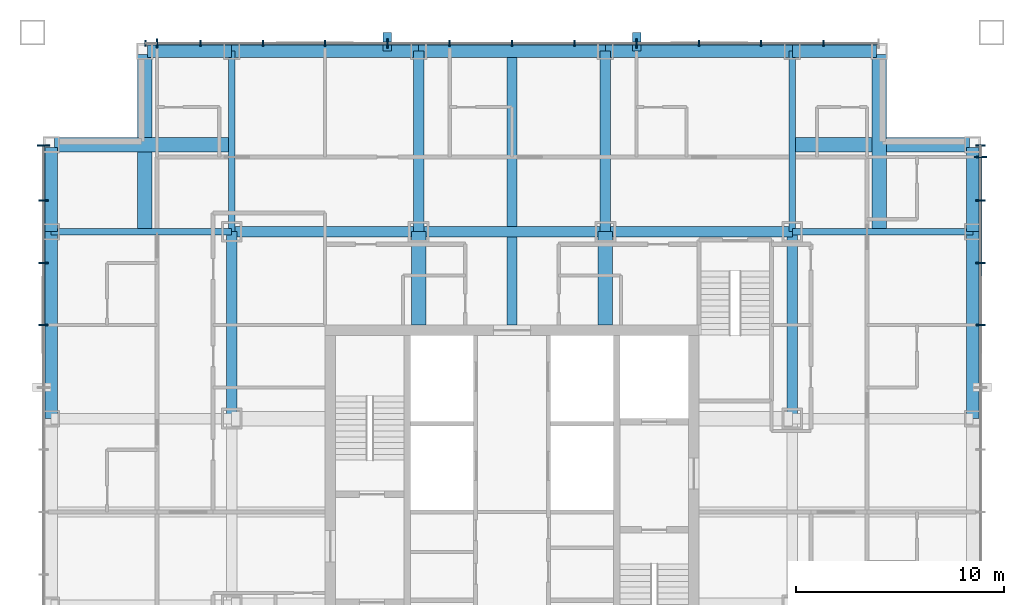
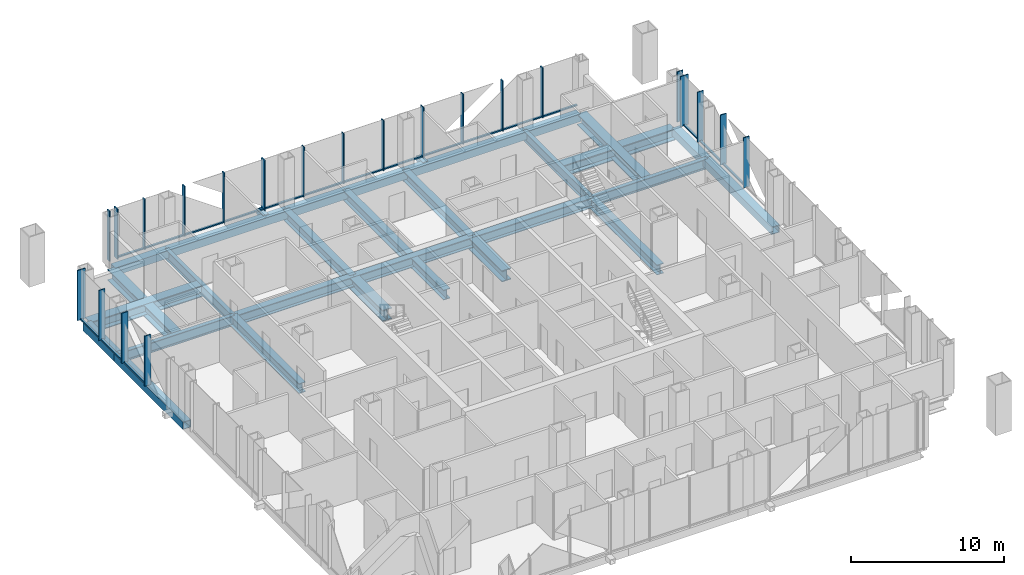
# One storey, part 4 of 16: 42 members, 27 beams, 3 elements without a shape of their own.
"""IFC4 building model written with IfcOpenShell, lengths in metres."""

from ifc_helpers import new_model, si_unit, direction, frame, origin, origin_2d, place, context, subcontext, project, spatial, rectangle, hollow_rectangle, i_section, extrude, material, layer, layer_set, material_profile, profile_set, type_object, element, aggregate, save


model = new_model("IFC4")

# Units and contexts
model_context = context("Model", 3, precision=1e-05, world=origin(), true_north=direction((0.0, 1.0)))
body_context = subcontext(model_context, "Body", "Model", "MODEL_VIEW")
ifc_project = project(units=[si_unit("LENGTHUNIT", "METRE"), si_unit("AREAUNIT", "SQUARE_METRE"), si_unit("VOLUMEUNIT", "CUBIC_METRE"), si_unit("PLANEANGLEUNIT", "RADIAN"), si_unit("MASSUNIT", "GRAM", prefix="KILO")], contexts=[model_context])

# Site, building, storey
site_placement = place(None, origin())
site = spatial("IfcSite", under=ifc_project, at=site_placement, CompositionType="ELEMENT")
building_placement = place(site_placement, origin())
building = spatial("IfcBuilding", under=site, at=building_placement, Name="Malebo Sky Hospital", CompositionType="ELEMENT")
storey_placement = place(building_placement, frame((0.0, 0.0, 197.0)))
storey = spatial("IfcBuildingStorey", under=building, at=storey_placement, Name="L47", CompositionType="ELEMENT", Elevation=197.0)

# Curtain wall, members
ifc_material_1 = material(Name="Anodised aluminium, natural silver", Category="aluminium")
ifc_layer_1 = layer(ifc_material_1, 0.25)
ifc_layer_set_1 = layer_set([ifc_layer_1], Name="WARD CURTAIN WALL NORTH AND SOUTH")
curtain_wall_type_1 = type_object("IfcCurtainWallType", Name="WARD CURTAIN WALL NORTH AND SOUTH", PredefinedType="NOTDEFINED", material=ifc_layer_set_1)
curtain_wall_1_placement = place(storey_placement, origin())
curtain_wall_1 = element("IfcCurtainWall", 1, at=curtain_wall_1_placement, inside=storey, type_object=curtain_wall_type_1, Name="NS curtain wall N", PredefinedType="NOTDEFINED")
ifc_material_profile_1 = material_profile(ifc_material_1, rectangle(XDim=0.14990234375, YDim=0.10009765625, at=origin_2d()), Name="ALUMINIUM TRANSOM 150x100")
ifc_profile_set_1 = profile_set([ifc_material_profile_1], Name="Anodised aluminium, natural silver")
member_type_1 = type_object("IfcMemberType", Name="ALUMINIUM TRANSOM 150x100", PredefinedType="USERDEFINED", material=ifc_profile_set_1)
member_1_placement = place(storey_placement, frame((42.9375, 84.574951171875, 0.050048828125), z_axis=(1.0, 0.0, 0.0), x_axis=(0.0, 1.0, 0.0)))
member_1 = element("IfcMember", 2, at=member_1_placement, type_object=member_type_1, Name="Transom 2", ObjectType="TRANSOM", PredefinedType="USERDEFINED", context=body_context, shape_type="SweptSolid", body=[
    extrude(rectangle(XDim=0.14990234375, YDim=0.10009765625, at=origin_2d()), origin(), (0.0, 0.0, 1.0), 2.02490234375),
])
member_2_placement = place(storey_placement, frame((45.03759765625, 84.574951171875, 0.050048828125), z_axis=(1.0, 0.0, 0.0), x_axis=(0.0, 1.0, 0.0)))
member_2 = element("IfcMember", 3, at=member_2_placement, type_object=member_type_1, Name="Transom 3", ObjectType="TRANSOM", PredefinedType="USERDEFINED", context=body_context, shape_type="SweptSolid", body=[
    extrude(rectangle(XDim=0.14990234375, YDim=0.10009765625, at=origin_2d()), origin(), (0.0, 0.0, 1.0), 2.9248046875),
])
member_3_placement = place(storey_placement, frame((48.03759765625, 84.574951171875, 0.050048828125), z_axis=(1.0, 0.0, 0.0), x_axis=(0.0, 1.0, 0.0)))
member_3 = element("IfcMember", 4, at=member_3_placement, type_object=member_type_1, Name="Transom 4", ObjectType="TRANSOM", PredefinedType="USERDEFINED", context=body_context, shape_type="SweptSolid", body=[
    extrude(rectangle(XDim=0.14990234375, YDim=0.10009765625, at=origin_2d()), origin(), (0.0, 0.0, 1.0), 2.9248046875),
])
member_4_placement = place(storey_placement, frame((51.03759765625, 84.574951171875, 0.050048828125), z_axis=(1.0, 0.0, 0.0), x_axis=(0.0, 1.0, 0.0)))
member_4 = element("IfcMember", 5, at=member_4_placement, type_object=member_type_1, Name="Transom 5", ObjectType="TRANSOM", PredefinedType="USERDEFINED", context=body_context, shape_type="SweptSolid", body=[
    extrude(rectangle(XDim=0.14990234375, YDim=0.10009765625, at=origin_2d()), origin(), (0.0, 0.0, 1.0), 2.9248046875),
])
member_5_placement = place(storey_placement, frame((54.03759765625, 84.574951171875, 0.050048828125), z_axis=(1.0, 0.0, 0.0), x_axis=(0.0, 1.0, 0.0)))
member_5 = element("IfcMember", 6, at=member_5_placement, type_object=member_type_1, Name="Transom 6", ObjectType="TRANSOM", PredefinedType="USERDEFINED", context=body_context, shape_type="SweptSolid", body=[
    extrude(rectangle(XDim=0.14990234375, YDim=0.10009765625, at=origin_2d()), origin(), (0.0, 0.0, 1.0), 2.9248046875),
])
member_6_placement = place(storey_placement, frame((57.03759765625, 84.574951171875, 0.050048828125), z_axis=(1.0, 0.0, 0.0), x_axis=(0.0, 1.0, 0.0)))
member_6 = element("IfcMember", 7, at=member_6_placement, type_object=member_type_1, Name="Transom 7", ObjectType="TRANSOM", PredefinedType="USERDEFINED", context=body_context, shape_type="SweptSolid", body=[
    extrude(rectangle(XDim=0.14990234375, YDim=0.10009765625, at=origin_2d()), origin(), (0.0, 0.0, 1.0), 2.9248046875),
])
member_7_placement = place(storey_placement, frame((60.03759765625, 84.574951171875, 0.050048828125), z_axis=(1.0, 0.0, 0.0), x_axis=(0.0, 1.0, 0.0)))
member_7 = element("IfcMember", 8, at=member_7_placement, type_object=member_type_1, Name="Transom 8", ObjectType="TRANSOM", PredefinedType="USERDEFINED", context=body_context, shape_type="SweptSolid", body=[
    extrude(rectangle(XDim=0.14990234375, YDim=0.10009765625, at=origin_2d()), origin(), (0.0, 0.0, 1.0), 2.9248046875),
])
member_8_placement = place(storey_placement, frame((63.03759765625, 84.574951171875, 0.050048828125), z_axis=(1.0, 0.0, 0.0), x_axis=(0.0, 1.0, 0.0)))
member_8 = element("IfcMember", 9, at=member_8_placement, type_object=member_type_1, Name="Transom 9", ObjectType="TRANSOM", PredefinedType="USERDEFINED", context=body_context, shape_type="SweptSolid", body=[
    extrude(rectangle(XDim=0.14990234375, YDim=0.10009765625, at=origin_2d()), origin(), (0.0, 0.0, 1.0), 2.9248046875),
])
member_9_placement = place(storey_placement, frame((66.03759765625, 84.574951171875, 0.050048828125), z_axis=(1.0, 0.0, 0.0), x_axis=(0.0, 1.0, 0.0)))
member_9 = element("IfcMember", 10, at=member_9_placement, type_object=member_type_1, Name="Transom 10", ObjectType="TRANSOM", PredefinedType="USERDEFINED", context=body_context, shape_type="SweptSolid", body=[
    extrude(rectangle(XDim=0.14990234375, YDim=0.10009765625, at=origin_2d()), origin(), (0.0, 0.0, 1.0), 2.9248046875),
])
member_10_placement = place(storey_placement, frame((69.03759765625, 84.574951171875, 0.050048828125), z_axis=(1.0, 0.0, 0.0), x_axis=(0.0, 1.0, 0.0)))
member_10 = element("IfcMember", 11, at=member_10_placement, type_object=member_type_1, Name="Transom 11", ObjectType="TRANSOM", PredefinedType="USERDEFINED", context=body_context, shape_type="SweptSolid", body=[
    extrude(rectangle(XDim=0.14990234375, YDim=0.10009765625, at=origin_2d()), origin(), (0.0, 0.0, 1.0), 2.9248046875),
])
member_11_placement = place(storey_placement, frame((72.03759765625, 84.574951171875, 0.050048828125), z_axis=(1.0, 0.0, 0.0), x_axis=(0.0, 1.0, 0.0)))
member_11 = element("IfcMember", 12, at=member_11_placement, type_object=member_type_1, Name="Transom 12", ObjectType="TRANSOM", PredefinedType="USERDEFINED", context=body_context, shape_type="SweptSolid", body=[
    extrude(rectangle(XDim=0.14990234375, YDim=0.10009765625, at=origin_2d()), origin(), (0.0, 0.0, 1.0), 2.9248046875),
])
member_12_placement = place(storey_placement, frame((75.03759765625, 84.574951171875, 0.050048828125), z_axis=(1.0, 0.0, 0.0), x_axis=(0.0, 1.0, 0.0)))
member_12 = element("IfcMember", 13, at=member_12_placement, type_object=member_type_1, Name="Transom 13", ObjectType="TRANSOM", PredefinedType="USERDEFINED", context=body_context, shape_type="SweptSolid", body=[
    extrude(rectangle(XDim=0.14990234375, YDim=0.10009765625, at=origin_2d()), origin(), (0.0, 0.0, 1.0), 2.58740234375),
])

ifc_layer_2 = layer(ifc_material_1, 0.25)
ifc_layer_set_2 = layer_set([ifc_layer_2], Name="WARD CURTAIN WALL EAST AND WEST")
curtain_wall_type_2 = type_object("IfcCurtainWallType", Name="WARD CURTAIN WALL EAST AND WEST", PredefinedType="NOTDEFINED", material=ifc_layer_set_2)
curtain_wall_2_placement = place(storey_placement, origin())
curtain_wall_2 = element("IfcCurtainWall", 14, at=curtain_wall_2_placement, inside=storey, type_object=curtain_wall_type_2, Name="EW curtain wall W", PredefinedType="NOTDEFINED")
member_13_placement = place(storey_placement, frame((37.425048828125, 71.03759765625, 0.050048828125), z_axis=(0.0, 1.0, 0.0), x_axis=(-1.0, 0.0, 0.0)))
member_13 = element("IfcMember", 15, at=member_13_placement, type_object=member_type_1, Name="Transom 11", ObjectType="TRANSOM", PredefinedType="USERDEFINED", context=body_context, shape_type="SweptSolid", body=[
    extrude(rectangle(XDim=0.14990234375, YDim=0.10009765625, at=origin_2d()), origin(), (0.0, 0.0, 1.0), 2.9248046875),
])
member_14_placement = place(storey_placement, frame((37.425048828125, 74.03759765625, 0.050048828125), z_axis=(0.0, 1.0, 0.0), x_axis=(-1.0, 0.0, 0.0)))
member_14 = element("IfcMember", 16, at=member_14_placement, type_object=member_type_1, Name="Transom 12", ObjectType="TRANSOM", PredefinedType="USERDEFINED", context=body_context, shape_type="SweptSolid", body=[
    extrude(rectangle(XDim=0.14990234375, YDim=0.10009765625, at=origin_2d()), origin(), (0.0, 0.0, 1.0), 2.9248046875),
])
member_15_placement = place(storey_placement, frame((37.425048828125, 77.03759765625, 0.050048828125), z_axis=(0.0, 1.0, 0.0), x_axis=(-1.0, 0.0, 0.0)))
member_15 = element("IfcMember", 17, at=member_15_placement, type_object=member_type_1, Name="Transom 13", ObjectType="TRANSOM", PredefinedType="USERDEFINED", context=body_context, shape_type="SweptSolid", body=[
    extrude(rectangle(XDim=0.14990234375, YDim=0.10009765625, at=origin_2d()), origin(), (0.0, 0.0, 1.0), 2.58740234375),
])

curtain_wall_3_placement = place(storey_placement, origin())
curtain_wall_3 = element("IfcCurtainWall", 18, at=curtain_wall_3_placement, inside=storey, type_object=curtain_wall_type_2, Name="EW curtain wall E", PredefinedType="NOTDEFINED")
member_16_placement = place(storey_placement, frame((82.574951171875, 79.0625, 0.050048828125), z_axis=(0.0, -1.0, 0.0), x_axis=(1.0, 0.0, 0.0)))
member_16 = element("IfcMember", 19, at=member_16_placement, type_object=member_type_1, Name="Transom 2", ObjectType="TRANSOM", PredefinedType="USERDEFINED", context=body_context, shape_type="SweptSolid", body=[
    extrude(rectangle(XDim=0.14990234375, YDim=0.10009765625, at=origin_2d()), origin(), (0.0, 0.0, 1.0), 2.02490234375),
])
member_17_placement = place(storey_placement, frame((82.574951171875, 76.96240234375, 0.050048828125), z_axis=(0.0, -1.0, 0.0), x_axis=(1.0, 0.0, 0.0)))
member_17 = element("IfcMember", 20, at=member_17_placement, type_object=member_type_1, Name="Transom 3", ObjectType="TRANSOM", PredefinedType="USERDEFINED", context=body_context, shape_type="SweptSolid", body=[
    extrude(rectangle(XDim=0.14990234375, YDim=0.10009765625, at=origin_2d()), origin(), (0.0, 0.0, 1.0), 2.9248046875),
])
member_18_placement = place(storey_placement, frame((82.574951171875, 73.96240234375, 0.050048828125), z_axis=(0.0, -1.0, 0.0), x_axis=(1.0, 0.0, 0.0)))
member_18 = element("IfcMember", 21, at=member_18_placement, type_object=member_type_1, Name="Transom 4", ObjectType="TRANSOM", PredefinedType="USERDEFINED", context=body_context, shape_type="SweptSolid", body=[
    extrude(rectangle(XDim=0.14990234375, YDim=0.10009765625, at=origin_2d()), origin(), (0.0, 0.0, 1.0), 2.9248046875),
])

# Members
ifc_material_2 = material(Name="Steel S355", Category="steel")
ifc_material_profile_2 = material_profile(ifc_material_2, hollow_rectangle(XDim=0.39990234375, YDim=0.39990234375, WallThickness=0.02001953125, at=origin_2d()), Name="SHS 400x20")
ifc_profile_set_2 = profile_set([ifc_material_profile_2], Name="Steel S355")
member_type_2 = type_object("IfcMemberType", Name="BRACE STRUT SHS 400x20", PredefinedType="STRUT", material=ifc_profile_set_2)
for number, where, z_axis, x_axis, name in (
    (22, (53.98486328125, 85.10009765625, -0.39990234375), (0.0, -1.0, 0.0), (1.0, 0.0, 0.0), "Brace strut CN1 L47"),
    (23, (66.01513671875, 85.10009765625, -0.39990234375), (0.0, -1.0, 0.0), (1.0, 0.0, 0.0), "Brace strut CN2 L47"),
):
    element("IfcMember", number, at=place(storey_placement, frame(where, z_axis=z_axis, x_axis=x_axis)), inside=storey, type_object=member_type_2, Name=name, PredefinedType="STRUT", context=body_context, shape_type="SweptSolid", body=[
        extrude(hollow_rectangle(XDim=0.39990234375, YDim=0.39990234375, WallThickness=0.02001953125, at=origin_2d()), origin(), (0.0, 0.0, 1.0), 0.900146484375),
    ])

# Member
ifc_material_profile_3 = material_profile(ifc_material_1, rectangle(XDim=0.074951171875, YDim=0.300048828125, at=origin_2d()), Name="CW1 ALUMINIUM FIN MULLION 75x300")
ifc_profile_set_3 = profile_set([ifc_material_profile_3], Name="Anodised aluminium, natural silver")
member_type_3 = type_object("IfcMemberType", Name="CW1 ALUMINIUM FIN MULLION 75x300", PredefinedType="MULLION", material=ifc_profile_set_3)
member_19_placement = place(storey_placement, frame((42.33740234375, 84.574951171875, 0.0), z_axis=(0.0, 0.0, 1.0), x_axis=(1.0, 0.0, 0.0)))
member_19 = element("IfcMember", 24, at=member_19_placement, type_object=member_type_3, Name="Fin mullion 1", PredefinedType="MULLION", context=body_context, shape_type="SweptSolid", body=[
    extrude(rectangle(XDim=0.074951171875, YDim=0.300048828125, at=origin_2d()), origin(), (0.0, 0.0, 1.0), 4.0),
])

member_20_placement = place(storey_placement, frame((45.0, 84.574951171875, 0.0), z_axis=(0.0, 0.0, 1.0), x_axis=(1.0, 0.0, 0.0)))
member_20 = element("IfcMember", 25, at=member_20_placement, type_object=member_type_3, Name="Fin mullion 3", PredefinedType="MULLION", context=body_context, shape_type="SweptSolid", body=[
    extrude(rectangle(XDim=0.074951171875, YDim=0.300048828125, at=origin_2d()), origin(), (0.0, 0.0, 1.0), 4.0),
])

member_21_placement = place(storey_placement, frame((48.0, 84.574951171875, 0.0), z_axis=(0.0, 0.0, 1.0), x_axis=(1.0, 0.0, 0.0)))
member_21 = element("IfcMember", 26, at=member_21_placement, type_object=member_type_3, Name="Fin mullion 4", PredefinedType="MULLION", context=body_context, shape_type="SweptSolid", body=[
    extrude(rectangle(XDim=0.074951171875, YDim=0.300048828125, at=origin_2d()), origin(), (0.0, 0.0, 1.0), 4.0),
])

member_22_placement = place(storey_placement, frame((51.0, 84.574951171875, 0.0), z_axis=(0.0, 0.0, 1.0), x_axis=(1.0, 0.0, 0.0)))
member_22 = element("IfcMember", 27, at=member_22_placement, type_object=member_type_3, Name="Fin mullion 5", PredefinedType="MULLION", context=body_context, shape_type="SweptSolid", body=[
    extrude(rectangle(XDim=0.074951171875, YDim=0.300048828125, at=origin_2d()), origin(), (0.0, 0.0, 1.0), 4.0),
])

member_23_placement = place(storey_placement, frame((57.0, 84.574951171875, 0.0), z_axis=(0.0, 0.0, 1.0), x_axis=(1.0, 0.0, 0.0)))
member_23 = element("IfcMember", 28, at=member_23_placement, type_object=member_type_3, Name="Fin mullion 7", PredefinedType="MULLION", context=body_context, shape_type="SweptSolid", body=[
    extrude(rectangle(XDim=0.074951171875, YDim=0.300048828125, at=origin_2d()), origin(), (0.0, 0.0, 1.0), 4.0),
])

member_24_placement = place(storey_placement, frame((60.0, 84.574951171875, 0.0), z_axis=(0.0, 0.0, 1.0), x_axis=(1.0, 0.0, 0.0)))
member_24 = element("IfcMember", 29, at=member_24_placement, type_object=member_type_3, Name="Fin mullion 8", PredefinedType="MULLION", context=body_context, shape_type="SweptSolid", body=[
    extrude(rectangle(XDim=0.074951171875, YDim=0.300048828125, at=origin_2d()), origin(), (0.0, 0.0, 1.0), 4.0),
])

member_25_placement = place(storey_placement, frame((63.0, 84.574951171875, 0.0), z_axis=(0.0, 0.0, 1.0), x_axis=(1.0, 0.0, 0.0)))
member_25 = element("IfcMember", 30, at=member_25_placement, type_object=member_type_3, Name="Fin mullion 9", PredefinedType="MULLION", context=body_context, shape_type="SweptSolid", body=[
    extrude(rectangle(XDim=0.074951171875, YDim=0.300048828125, at=origin_2d()), origin(), (0.0, 0.0, 1.0), 4.0),
])

member_26_placement = place(storey_placement, frame((69.0, 84.574951171875, 0.0), z_axis=(0.0, 0.0, 1.0), x_axis=(1.0, 0.0, 0.0)))
member_26 = element("IfcMember", 31, at=member_26_placement, type_object=member_type_3, Name="Fin mullion 11", PredefinedType="MULLION", context=body_context, shape_type="SweptSolid", body=[
    extrude(rectangle(XDim=0.074951171875, YDim=0.300048828125, at=origin_2d()), origin(), (0.0, 0.0, 1.0), 4.0),
])

member_27_placement = place(storey_placement, frame((72.0, 84.574951171875, 0.0), z_axis=(0.0, 0.0, 1.0), x_axis=(1.0, 0.0, 0.0)))
member_27 = element("IfcMember", 32, at=member_27_placement, type_object=member_type_3, Name="Fin mullion 12", PredefinedType="MULLION", context=body_context, shape_type="SweptSolid", body=[
    extrude(rectangle(XDim=0.074951171875, YDim=0.300048828125, at=origin_2d()), origin(), (0.0, 0.0, 1.0), 4.0),
])

member_28_placement = place(storey_placement, frame((75.0, 84.574951171875, 0.0), z_axis=(0.0, 0.0, 1.0), x_axis=(1.0, 0.0, 0.0)))
member_28 = element("IfcMember", 33, at=member_28_placement, type_object=member_type_3, Name="Fin mullion 13", PredefinedType="MULLION", context=body_context, shape_type="SweptSolid", body=[
    extrude(rectangle(XDim=0.074951171875, YDim=0.300048828125, at=origin_2d()), origin(), (0.0, 0.0, 1.0), 4.0),
])

ifc_material_profile_4 = material_profile(ifc_material_1, rectangle(XDim=0.074951171875, YDim=0.449951171875, at=origin_2d()), Name="CW1 ALUMINIUM FIN MULLION 75x450")
ifc_profile_set_4 = profile_set([ifc_material_profile_4], Name="Anodised aluminium, natural silver")
member_type_4 = type_object("IfcMemberType", Name="CW1 ALUMINIUM FIN MULLION 75x450", PredefinedType="MULLION", material=ifc_profile_set_4)
member_29_placement = place(storey_placement, frame((42.89990234375, 84.574951171875, 0.0), z_axis=(0.0, 0.0, 1.0), x_axis=(1.0, 0.0, 0.0)))
member_29 = element("IfcMember", 34, at=member_29_placement, type_object=member_type_4, Name="Fin mullion 2", PredefinedType="MULLION", context=body_context, shape_type="SweptSolid", body=[
    extrude(rectangle(XDim=0.074951171875, YDim=0.449951171875, at=origin_2d()), origin(), (0.0, 0.0, 1.0), 4.0),
])

member_30_placement = place(storey_placement, frame((54.0, 84.574951171875, 0.0), z_axis=(0.0, 0.0, 1.0), x_axis=(1.0, 0.0, 0.0)))
member_30 = element("IfcMember", 35, at=member_30_placement, type_object=member_type_4, Name="Fin mullion 6", PredefinedType="MULLION", context=body_context, shape_type="SweptSolid", body=[
    extrude(rectangle(XDim=0.074951171875, YDim=0.449951171875, at=origin_2d()), origin(), (0.0, 0.0, 1.0), 4.0),
])

member_31_placement = place(storey_placement, frame((66.0, 84.574951171875, 0.0), z_axis=(0.0, 0.0, 1.0), x_axis=(1.0, 0.0, 0.0)))
member_31 = element("IfcMember", 36, at=member_31_placement, type_object=member_type_4, Name="Fin mullion 10", PredefinedType="MULLION", context=body_context, shape_type="SweptSolid", body=[
    extrude(rectangle(XDim=0.074951171875, YDim=0.449951171875, at=origin_2d()), origin(), (0.0, 0.0, 1.0), 4.0),
])

aggregate(curtain_wall_1, [member_19, member_29, member_20, member_21, member_22, member_30, member_23, member_24, member_25, member_31, member_26, member_27, member_28, member_1, member_2, member_3, member_4, member_5, member_6, member_7, member_8, member_9, member_10, member_11, member_12])

ifc_material_profile_5 = material_profile(ifc_material_1, rectangle(XDim=0.074951171875, YDim=0.449951171875, at=origin_2d()), Name="CW2 ALUMINIUM FIN MULLION 75x450")
ifc_profile_set_5 = profile_set([ifc_material_profile_5], Name="Anodised aluminium, natural silver")
member_type_5 = type_object("IfcMemberType", Name="CW2 ALUMINIUM FIN MULLION 75x450", PredefinedType="MULLION", material=ifc_profile_set_5)
member_32_placement = place(storey_placement, frame((37.425048828125, 71.0, 0.0), z_axis=(0.0, 0.0, 1.0), x_axis=(0.0, 1.0, 0.0)))
member_32 = element("IfcMember", 37, at=member_32_placement, type_object=member_type_5, Name="Fin mullion 11", PredefinedType="MULLION", context=body_context, shape_type="SweptSolid", body=[
    extrude(rectangle(XDim=0.074951171875, YDim=0.449951171875, at=origin_2d()), origin(), (0.0, 0.0, 1.0), 4.0),
])

member_33_placement = place(storey_placement, frame((37.425048828125, 74.0, 0.0), z_axis=(0.0, 0.0, 1.0), x_axis=(0.0, 1.0, 0.0)))
member_33 = element("IfcMember", 38, at=member_33_placement, type_object=member_type_5, Name="Fin mullion 12", PredefinedType="MULLION", context=body_context, shape_type="SweptSolid", body=[
    extrude(rectangle(XDim=0.074951171875, YDim=0.449951171875, at=origin_2d()), origin(), (0.0, 0.0, 1.0), 4.0),
])

member_34_placement = place(storey_placement, frame((37.425048828125, 77.0, 0.0), z_axis=(0.0, 0.0, 1.0), x_axis=(0.0, 1.0, 0.0)))
member_34 = element("IfcMember", 39, at=member_34_placement, type_object=member_type_5, Name="Fin mullion 13", PredefinedType="MULLION", context=body_context, shape_type="SweptSolid", body=[
    extrude(rectangle(XDim=0.074951171875, YDim=0.449951171875, at=origin_2d()), origin(), (0.0, 0.0, 1.0), 4.0),
])

member_35_placement = place(storey_placement, frame((82.574951171875, 79.66259765625, 0.0), z_axis=(0.0, 0.0, 1.0), x_axis=(0.0, -1.0, 0.0)))
member_35 = element("IfcMember", 40, at=member_35_placement, type_object=member_type_5, Name="Fin mullion 1", PredefinedType="MULLION", context=body_context, shape_type="SweptSolid", body=[
    extrude(rectangle(XDim=0.074951171875, YDim=0.449951171875, at=origin_2d()), origin(), (0.0, 0.0, 1.0), 4.0),
])

member_36_placement = place(storey_placement, frame((82.574951171875, 77.0, 0.0), z_axis=(0.0, 0.0, 1.0), x_axis=(0.0, -1.0, 0.0)))
member_36 = element("IfcMember", 41, at=member_36_placement, type_object=member_type_5, Name="Fin mullion 3", PredefinedType="MULLION", context=body_context, shape_type="SweptSolid", body=[
    extrude(rectangle(XDim=0.074951171875, YDim=0.449951171875, at=origin_2d()), origin(), (0.0, 0.0, 1.0), 4.0),
])

member_37_placement = place(storey_placement, frame((82.574951171875, 74.0, 0.0), z_axis=(0.0, 0.0, 1.0), x_axis=(0.0, -1.0, 0.0)))
member_37 = element("IfcMember", 42, at=member_37_placement, type_object=member_type_5, Name="Fin mullion 4", PredefinedType="MULLION", context=body_context, shape_type="SweptSolid", body=[
    extrude(rectangle(XDim=0.074951171875, YDim=0.449951171875, at=origin_2d()), origin(), (0.0, 0.0, 1.0), 4.0),
])

member_38_placement = place(storey_placement, frame((82.574951171875, 71.0, 0.0), z_axis=(0.0, 0.0, 1.0), x_axis=(0.0, -1.0, 0.0)))
member_38 = element("IfcMember", 43, at=member_38_placement, type_object=member_type_5, Name="Fin mullion 5", PredefinedType="MULLION", context=body_context, shape_type="SweptSolid", body=[
    extrude(rectangle(XDim=0.074951171875, YDim=0.449951171875, at=origin_2d()), origin(), (0.0, 0.0, 1.0), 4.0),
])

ifc_material_profile_6 = material_profile(ifc_material_1, rectangle(XDim=0.074951171875, YDim=0.60009765625, at=origin_2d()), Name="CW2 ALUMINIUM FIN MULLION 75x600")
ifc_profile_set_6 = profile_set([ifc_material_profile_6], Name="Anodised aluminium, natural silver")
member_type_6 = type_object("IfcMemberType", Name="CW2 ALUMINIUM FIN MULLION 75x600", PredefinedType="MULLION", material=ifc_profile_set_6)
member_39_placement = place(storey_placement, frame((37.425048828125, 79.66259765625, 0.0), z_axis=(0.0, 0.0, 1.0), x_axis=(0.0, 1.0, 0.0)))
member_39 = element("IfcMember", 44, at=member_39_placement, type_object=member_type_6, Name="Fin mullion 14", PredefinedType="MULLION", context=body_context, shape_type="SweptSolid", body=[
    extrude(rectangle(XDim=0.074951171875, YDim=0.60009765625, at=origin_2d()), origin(), (0.0, 0.0, 1.0), 4.0),
])

aggregate(curtain_wall_2, [member_32, member_33, member_34, member_39, member_13, member_14, member_15])

member_40_placement = place(storey_placement, frame((82.574951171875, 79.10009765625, 0.0), z_axis=(0.0, 0.0, 1.0), x_axis=(0.0, -1.0, 0.0)))
member_40 = element("IfcMember", 45, at=member_40_placement, type_object=member_type_6, Name="Fin mullion 2", PredefinedType="MULLION", context=body_context, shape_type="SweptSolid", body=[
    extrude(rectangle(XDim=0.074951171875, YDim=0.60009765625, at=origin_2d()), origin(), (0.0, 0.0, 1.0), 4.0),
])

aggregate(curtain_wall_3, [member_35, member_40, member_36, member_37, member_38, member_16, member_17, member_18])

# Beams
ifc_material_3 = material(Name="Steel S460", Category="steel")
ifc_material_profile_7 = material_profile(ifc_material_3, hollow_rectangle(XDim=0.60009765625, YDim=0.60009765625, WallThickness=0.0400390625, at=origin_2d()), Name="BOX 600x600x40")
ifc_profile_set_7 = profile_set([ifc_material_profile_7], Name="Steel S460")
beam_type_1 = type_object("IfcBeamType", Name="EDGE BEAM BOX 600x600x40", PredefinedType="BEAM", material=ifc_profile_set_7)
beam_1_placement = place(storey_placement, frame((37.800048828125, 66.5, -0.550048828125), z_axis=(0.0, 1.0, 0.0), x_axis=(-1.0, 0.0, 0.0)))
element("IfcBeam", 46, at=beam_1_placement, inside=storey, type_object=beam_type_1, Name="Beam 003 L47", PredefinedType="BEAM", context=body_context, shape_type="SweptSolid", body=[
    extrude(hollow_rectangle(XDim=0.60009765625, YDim=0.60009765625, WallThickness=0.0400390625, at=origin_2d()), origin(), (0.0, 0.0, 1.0), 9.0),
])
beam_2_placement = place(storey_placement, frame((37.800048828125, 75.5, -0.550048828125), z_axis=(0.0, 1.0, 0.0), x_axis=(-1.0, 0.0, 0.0)))
element("IfcBeam", 47, at=beam_2_placement, inside=storey, type_object=beam_type_1, Name="Beam 004 L47", PredefinedType="BEAM", context=body_context, shape_type="SweptSolid", body=[
    extrude(hollow_rectangle(XDim=0.60009765625, YDim=0.60009765625, WallThickness=0.0400390625, at=origin_2d()), origin(), (0.0, 0.0, 1.0), 4.050048828125),
])
beam_3_placement = place(storey_placement, frame((82.199951171875, 66.5, -0.550048828125), z_axis=(0.0, 1.0, 0.0), x_axis=(-1.0, 0.0, 0.0)))
element("IfcBeam", 48, at=beam_3_placement, inside=storey, type_object=beam_type_1, Name="Beam 032 L47", PredefinedType="BEAM", context=body_context, shape_type="SweptSolid", body=[
    extrude(hollow_rectangle(XDim=0.60009765625, YDim=0.60009765625, WallThickness=0.0400390625, at=origin_2d()), origin(), (0.0, 0.0, 1.0), 9.0),
])
for number, where, z_axis, x_axis, name in (
    (49, (82.199951171875, 75.5, -0.550048828125), (0.0, 1.0, 0.0), (-1.0, 0.0, 0.0), "Beam 033 L47"),
    (50, (42.449951171875, 84.199951171875, -0.550048828125), (1.0, 0.0, 0.0), (0.0, 1.0, 0.0), "Beam 063 L47"),
):
    element("IfcBeam", number, at=place(storey_placement, frame(where, z_axis=z_axis, x_axis=x_axis)), inside=storey, type_object=beam_type_1, Name=name, PredefinedType="BEAM", context=body_context, shape_type="SweptSolid", body=[
        extrude(hollow_rectangle(XDim=0.60009765625, YDim=0.60009765625, WallThickness=0.0400390625, at=origin_2d()), origin(), (0.0, 0.0, 1.0), 4.050048828125),
    ])
for number, where, z_axis, x_axis, name in (
    (51, (46.5, 84.199951171875, -0.550048828125), (1.0, 0.0, 0.0), (0.0, 1.0, 0.0), "Beam 064 L47"),
    (52, (55.5, 84.199951171875, -0.550048828125), (1.0, 0.0, 0.0), (0.0, 1.0, 0.0), "Beam 065 L47"),
    (53, (64.5, 84.199951171875, -0.550048828125), (1.0, 0.0, 0.0), (0.0, 1.0, 0.0), "Beam 066 L47"),
):
    element("IfcBeam", number, at=place(storey_placement, frame(where, z_axis=z_axis, x_axis=x_axis)), inside=storey, type_object=beam_type_1, Name=name, PredefinedType="BEAM", context=body_context, shape_type="SweptSolid", body=[
        extrude(hollow_rectangle(XDim=0.60009765625, YDim=0.60009765625, WallThickness=0.0400390625, at=origin_2d()), origin(), (0.0, 0.0, 1.0), 9.0),
    ])
beam_4_placement = place(storey_placement, frame((73.5, 84.199951171875, -0.550048828125), z_axis=(1.0, 0.0, 0.0), x_axis=(0.0, 1.0, 0.0)))
element("IfcBeam", 54, at=beam_4_placement, inside=storey, type_object=beam_type_1, Name="Beam 067 L47", PredefinedType="BEAM", context=body_context, shape_type="SweptSolid", body=[
    extrude(hollow_rectangle(XDim=0.60009765625, YDim=0.60009765625, WallThickness=0.0400390625, at=origin_2d()), origin(), (0.0, 0.0, 1.0), 4.050048828125),
])
ifc_material_profile_8 = material_profile(ifc_material_2, i_section(OverallWidth=0.5, OverallDepth=0.800048828125, WebThickness=0.030029296875, FlangeThickness=0.050048828125, at=origin_2d()), Name="PG 800x500x30x50")
ifc_profile_set_8 = profile_set([ifc_material_profile_8], Name="Steel S355")
beam_type_2 = type_object("IfcBeamType", Name="FLOOR BEAM PG 800x500x30x50", PredefinedType="BEAM", material=ifc_profile_set_8)
beam_5_placement = place(storey_placement, frame((46.5, 66.5, -0.64990234375), z_axis=(0.0, 1.0, 0.0), x_axis=(-1.0, 0.0, 0.0)))
element("IfcBeam", 55, at=beam_5_placement, inside=storey, type_object=beam_type_2, Name="Beam 010 L47", PredefinedType="BEAM", context=body_context, shape_type="SweptSolid", body=[
    extrude(i_section(OverallWidth=0.5, OverallDepth=0.800048828125, WebThickness=0.030029296875, FlangeThickness=0.050048828125, at=origin_2d()), origin(), (0.0, 0.0, 1.0), 9.0),
])
beam_6_placement = place(storey_placement, frame((55.5, 75.5, -0.64990234375), z_axis=(0.0, 1.0, 0.0), x_axis=(-1.0, 0.0, 0.0)))
element("IfcBeam", 56, at=beam_6_placement, inside=storey, type_object=beam_type_2, Name="Beam 015 L47", PredefinedType="BEAM", context=body_context, shape_type="SweptSolid", body=[
    extrude(i_section(OverallWidth=0.5, OverallDepth=0.800048828125, WebThickness=0.030029296875, FlangeThickness=0.050048828125, at=origin_2d()), origin(), (0.0, 0.0, 1.0), 8.699951171875),
])
beam_7_placement = place(storey_placement, frame((60.0, 71.0, -0.64990234375), z_axis=(0.0, 1.0, 0.0), x_axis=(-1.0, 0.0, 0.0)))
element("IfcBeam", 57, at=beam_7_placement, inside=storey, type_object=beam_type_2, Name="Beam 017 L47", PredefinedType="BEAM", context=body_context, shape_type="SweptSolid", body=[
    extrude(i_section(OverallWidth=0.5, OverallDepth=0.800048828125, WebThickness=0.030029296875, FlangeThickness=0.050048828125, at=origin_2d()), origin(), (0.0, 0.0, 1.0), 13.199951171875),
])
beam_8_placement = place(storey_placement, frame((64.5, 75.5, -0.64990234375), z_axis=(0.0, 1.0, 0.0), x_axis=(-1.0, 0.0, 0.0)))
element("IfcBeam", 58, at=beam_8_placement, inside=storey, type_object=beam_type_2, Name="Beam 021 L47", PredefinedType="BEAM", context=body_context, shape_type="SweptSolid", body=[
    extrude(i_section(OverallWidth=0.5, OverallDepth=0.800048828125, WebThickness=0.030029296875, FlangeThickness=0.050048828125, at=origin_2d()), origin(), (0.0, 0.0, 1.0), 8.699951171875),
])
for number, where, z_axis, x_axis, name in (
    (59, (73.5, 66.5, -0.64990234375), (0.0, 1.0, 0.0), (-1.0, 0.0, 0.0), "Beam 025 L47"),
    (60, (46.5, 75.5, -0.64990234375), (1.0, 0.0, 0.0), (0.0, 1.0, 0.0), "Beam 057 L47"),
    (61, (64.5, 75.5, -0.64990234375), (1.0, 0.0, 0.0), (0.0, 1.0, 0.0), "Beam 059 L47"),
):
    element("IfcBeam", number, at=place(storey_placement, frame(where, z_axis=z_axis, x_axis=x_axis)), inside=storey, type_object=beam_type_2, Name=name, PredefinedType="BEAM", context=body_context, shape_type="SweptSolid", body=[
        extrude(i_section(OverallWidth=0.5, OverallDepth=0.800048828125, WebThickness=0.030029296875, FlangeThickness=0.050048828125, at=origin_2d()), origin(), (0.0, 0.0, 1.0), 9.0),
    ])
ifc_material_profile_9 = material_profile(ifc_material_2, i_section(OverallWidth=0.699951171875, OverallDepth=0.89990234375, WebThickness=0.0400390625, FlangeThickness=0.070068359375, at=origin_2d()), Name="PG 900x700x40x70")
ifc_profile_set_9 = profile_set([ifc_material_profile_9], Name="Steel S355")
beam_type_3 = type_object("IfcBeamType", Name="FLOOR BEAM PG 900x700x40x70", PredefinedType="BEAM", material=ifc_profile_set_9)
beam_9_placement = place(storey_placement, frame((42.300048828125, 75.5, -0.699951171875), z_axis=(0.0, 1.0, 0.0), x_axis=(-1.0, 0.0, 0.0)))
element("IfcBeam", 62, at=beam_9_placement, inside=storey, type_object=beam_type_3, Name="Beam 006 L47", PredefinedType="BEAM", context=body_context, shape_type="SweptSolid", body=[
    extrude(i_section(OverallWidth=0.699951171875, OverallDepth=0.89990234375, WebThickness=0.0400390625, FlangeThickness=0.070068359375, at=origin_2d()), origin(), (0.0, 0.0, 1.0), 8.550048828125),
])
for number, where, z_axis, x_axis, name in (
    (63, (55.5, 71.0, -0.699951171875), (0.0, 1.0, 0.0), (-1.0, 0.0, 0.0), "Beam 014 L47"),
    (64, (64.5, 71.0, -0.699951171875), (0.0, 1.0, 0.0), (-1.0, 0.0, 0.0), "Beam 020 L47"),
):
    element("IfcBeam", number, at=place(storey_placement, frame(where, z_axis=z_axis, x_axis=x_axis)), inside=storey, type_object=beam_type_3, Name=name, PredefinedType="BEAM", context=body_context, shape_type="SweptSolid", body=[
        extrude(i_section(OverallWidth=0.699951171875, OverallDepth=0.89990234375, WebThickness=0.0400390625, FlangeThickness=0.070068359375, at=origin_2d()), origin(), (0.0, 0.0, 1.0), 4.5),
    ])
for number, where, z_axis, x_axis, name in (
    (65, (77.699951171875, 75.5, -0.699951171875), (0.0, 1.0, 0.0), (-1.0, 0.0, 0.0), "Beam 028 L47"),
    (66, (37.949951171875, 79.699951171875, -0.699951171875), (1.0, 0.0, 0.0), (0.0, 1.0, 0.0), "Beam 061 L47"),
    (67, (73.5, 79.699951171875, -0.699951171875), (1.0, 0.0, 0.0), (0.0, 1.0, 0.0), "Beam 062 L47"),
):
    element("IfcBeam", number, at=place(storey_placement, frame(where, z_axis=z_axis, x_axis=x_axis)), inside=storey, type_object=beam_type_3, Name=name, PredefinedType="BEAM", context=body_context, shape_type="SweptSolid", body=[
        extrude(i_section(OverallWidth=0.699951171875, OverallDepth=0.89990234375, WebThickness=0.0400390625, FlangeThickness=0.070068359375, at=origin_2d()), origin(), (0.0, 0.0, 1.0), 8.550048828125),
    ])
ifc_material_profile_10 = material_profile(ifc_material_2, i_section(OverallWidth=0.300048828125, OverallDepth=0.800048828125, WebThickness=0.017578125, FlangeThickness=0.032958984375, FilletRadius=0.030029296875, at=origin_2d()), Name="HEB 800")
ifc_profile_set_10 = profile_set([ifc_material_profile_10], Name="Steel S355")
beam_type_4 = type_object("IfcBeamType", Name="FLOOR GIRDER HEB 800", PredefinedType="BEAM", material=ifc_profile_set_10)
for number, where, z_axis, x_axis, name in (
    (68, (46.5, 75.5, -0.64990234375), (0.0, 1.0, 0.0), (-1.0, 0.0, 0.0), "Beam 011 L47"),
    (69, (73.5, 75.5, -0.64990234375), (0.0, 1.0, 0.0), (-1.0, 0.0, 0.0), "Beam 026 L47"),
    (70, (37.800048828125, 75.5, -0.64990234375), (1.0, 0.0, 0.0), (0.0, 1.0, 0.0), "Beam 056 L47"),
    (71, (73.5, 75.5, -0.64990234375), (1.0, 0.0, 0.0), (0.0, 1.0, 0.0), "Beam 060 L47"),
):
    element("IfcBeam", number, at=place(storey_placement, frame(where, z_axis=z_axis, x_axis=x_axis)), inside=storey, type_object=beam_type_4, Name=name, PredefinedType="BEAM", context=body_context, shape_type="SweptSolid", body=[
        extrude(i_section(OverallWidth=0.300048828125, OverallDepth=0.800048828125, WebThickness=0.017578125, FlangeThickness=0.032958984375, FilletRadius=0.030029296875, at=origin_2d()), origin(), (0.0, 0.0, 1.0), 8.699951171875),
    ])
ifc_material_profile_11 = material_profile(ifc_material_2, i_section(OverallWidth=0.5, OverallDepth=0.800048828125, WebThickness=0.030029296875, FlangeThickness=0.050048828125, at=origin_2d()), Name="PG 800x500x30x50")
ifc_profile_set_11 = profile_set([ifc_material_profile_11], Name="Steel S355")
beam_type_5 = type_object("IfcBeamType", Name="RING GIRDER PG 800x500x30x50", PredefinedType="BEAM", material=ifc_profile_set_11)
beam_10_placement = place(storey_placement, frame((55.5, 75.5, -0.64990234375), z_axis=(1.0, 0.0, 0.0), x_axis=(0.0, 1.0, 0.0)))
element("IfcBeam", 72, at=beam_10_placement, inside=storey, type_object=beam_type_5, Name="Beam 058 L47", PredefinedType="BEAM", context=body_context, shape_type="SweptSolid", body=[
    extrude(i_section(OverallWidth=0.5, OverallDepth=0.800048828125, WebThickness=0.030029296875, FlangeThickness=0.050048828125, at=origin_2d()), origin(), (0.0, 0.0, 1.0), 9.0),
])

save(model, "model.ifc")
